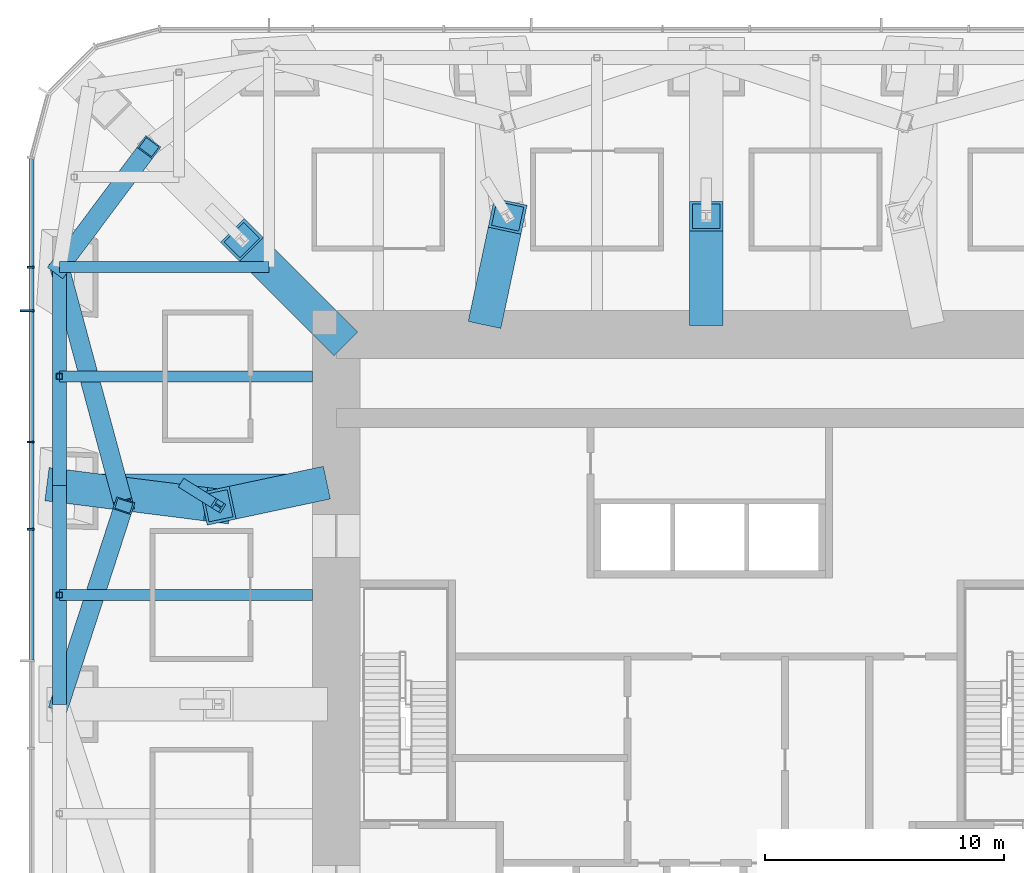
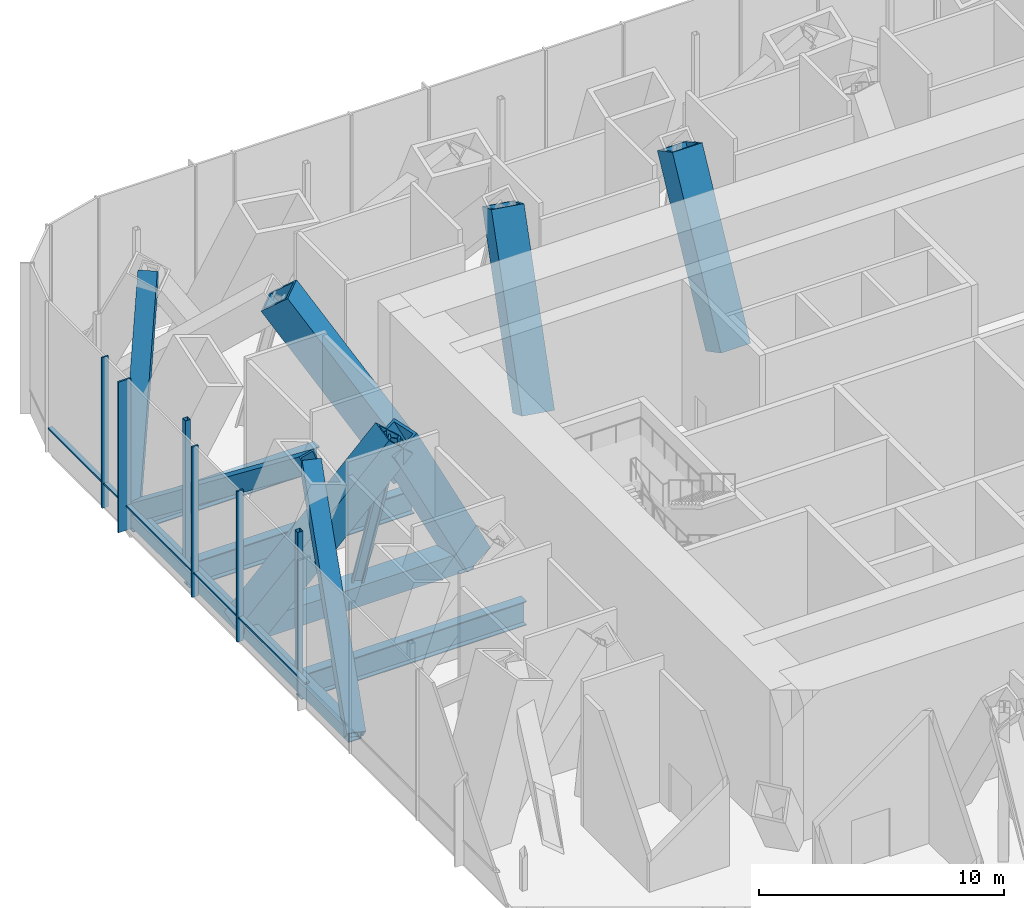
# One storey, part 6 of 16: 23 members, 3 beams, 1 element without a shape of its own.
"""IFC4 building model written with IfcOpenShell, lengths in metres."""

import ifcopenshell
import ifcopenshell.guid

model = None  # the IFC model being written
_history = None  # IfcOwnerHistory: only IFC2X3 demands one
_inside = {}  # id of a spatial element -> (the spatial element, [elements in it])
_under = {}  # id of a project, library or spatial element -> (it, [spatial elements below it])
_declared = {}  # id of a project -> (the project, [libraries it declares])
_typed = {}  # id of a type object -> (the type object, [elements of that type])
_made_of = {}  # id of a material, layer set ... -> (it, [elements and type objects made of it])


def new_model(schema):
    """Start an empty IFC model of exactly this schema.

    Asked for "IFC4X3", IfcOpenShell would pick the latest addendum, in which some entities
    have other attributes; the version numbers below select the first issue.
    IFC2X3 requires an IfcOwnerHistory on every rooted entity: one is made here for all.
    """
    global model, _history
    if schema == "IFC4X3":
        model = ifcopenshell.file(schema_version=(4, 3, 0, 0))
    else:
        model = ifcopenshell.file(schema=schema)
    _inside.clear()
    _under.clear()
    _declared.clear()
    _typed.clear()
    _made_of.clear()
    _history = None
    if model.schema == "IFC2X3":
        org = make("IfcOrganization", Name="unknown")
        user = make(
            "IfcPersonAndOrganization",
            ThePerson=make("IfcPerson", FamilyName="unknown"),
            TheOrganization=org,
        )
        app = make(
            "IfcApplication",
            ApplicationDeveloper=org,
            Version="unknown",
            ApplicationFullName="unknown",
            ApplicationIdentifier="unknown",
        )
        _history = make(
            "IfcOwnerHistory",
            OwningUser=user,
            OwningApplication=app,
            ChangeAction="ADDED",
            CreationDate=0,
        )
    return model


def make(cls, **values):
    """One entity of the class cls with the attributes given. An attribute that is None is left unset."""
    return model.create_entity(
        cls, **{name: value for name, value in values.items() if value is not None}
    )


def rooted(cls, **values):
    """An entity with a GlobalId (a new one), such as an element, a storey or a relation."""
    return make(cls, GlobalId=ifcopenshell.guid.new(), OwnerHistory=_history, **values)


def si_unit(unit_type, name, prefix=None):
    """IfcSIUnit, for example si_unit("LENGTHUNIT", "METRE", prefix="MILLI")."""
    return make("IfcSIUnit", UnitType=unit_type, Prefix=prefix, Name=name)


def assignment(units):
    """IfcUnitAssignment: the units of a project."""
    return None if units is None else make("IfcUnitAssignment", Units=units)


def point(xyz):
    """IfcCartesianPoint."""
    return None if xyz is None else make("IfcCartesianPoint", Coordinates=xyz)


def direction(xyz):
    """IfcDirection."""
    return None if xyz is None else make("IfcDirection", DirectionRatios=xyz)


def frame(location, z_axis=None, x_axis=None):
    """IfcAxis2Placement3D, a coordinate frame: its origin and axes. An axis left out is left unset."""
    return make(
        "IfcAxis2Placement3D",
        Location=point(location),
        Axis=direction(z_axis),
        RefDirection=direction(x_axis),
    )


def frame_2d(location, x_axis=None):
    """IfcAxis2Placement2D, a coordinate frame in the plane: its origin and x axis."""
    return make(
        "IfcAxis2Placement2D", Location=point(location), RefDirection=direction(x_axis)
    )


def origin():
    """The frame at (0, 0, 0) with its axes left unset."""
    return frame((0.0, 0.0, 0.0))


def origin_2d():
    """The frame at (0, 0) in the plane with its x axis left unset."""
    return frame_2d((0.0, 0.0))


def place(relative_to, where):
    """IfcLocalPlacement: puts the frame where relative to a parent placement (None: the world)."""
    return make(
        "IfcLocalPlacement", PlacementRelTo=relative_to, RelativePlacement=where
    )


def context(
    kind, dimensions, precision=None, world=None, true_north=None, identifier=None
):
    """IfcGeometricRepresentationContext, for example the 3D "Model" context."""
    return make(
        "IfcGeometricRepresentationContext",
        ContextIdentifier=identifier,
        ContextType=kind,
        CoordinateSpaceDimension=dimensions,
        Precision=precision,
        WorldCoordinateSystem=world,
        TrueNorth=true_north,
    )


def subcontext(parent, identifier, kind, view, scale=None):
    """IfcGeometricRepresentationSubContext, for example "Body" below "Model"."""
    return make(
        "IfcGeometricRepresentationSubContext",
        ContextIdentifier=identifier,
        ContextType=kind,
        ParentContext=parent,
        TargetScale=scale,
        TargetView=view,
    )


def project(units=None, contexts=None):
    """IfcProject with its units and contexts."""
    return rooted(
        "IfcProject",
        Name="project",
        RepresentationContexts=contexts,
        UnitsInContext=assignment(units),
    )


def spatial(cls, under=None, at=None, **own):
    """A site, building, storey or space (cls), placed at a placement, below another one or the project."""
    s = rooted(cls, ObjectPlacement=at, **own)
    if under is not None:
        _under.setdefault(under.id(), (under, []))[1].append(s)
    return s


def profile(cls, at=None, kind="AREA", **sizes):
    """A parametric profile (cls). Its sizes go by their IFC names, for example OverallWidth=200.0."""
    return make(cls, ProfileType=kind, Position=at, **sizes)


def rectangle(**sizes):
    """IfcRectangleProfileDef."""
    return profile("IfcRectangleProfileDef", **sizes)


def hollow_rectangle(**sizes):
    """IfcRectangleHollowProfileDef."""
    return profile("IfcRectangleHollowProfileDef", **sizes)


def i_section(**sizes):
    """IfcIShapeProfileDef."""
    return profile("IfcIShapeProfileDef", **sizes)


def extrude(swept, where, along, depth):
    """IfcExtrudedAreaSolid: the profile swept, set in the frame where, extruded along a direction by depth."""
    return make(
        "IfcExtrudedAreaSolid",
        SweptArea=swept,
        Position=where,
        ExtrudedDirection=direction(along),
        Depth=depth,
    )


def shape(context_of_items, identifier, shape_type, items):
    """IfcShapeRepresentation: the items that make up one representation, for example the "Body"."""
    return make(
        "IfcShapeRepresentation",
        ContextOfItems=context_of_items,
        RepresentationIdentifier=identifier,
        RepresentationType=shape_type,
        Items=items,
    )


def material(Name=None, Category=None):
    """IfcMaterial."""
    return make("IfcMaterial", Name=Name, Category=Category)


def material_profile(
    of_material, cross_section, Name=None, Category=None, Priority=None
):
    """IfcMaterialProfile: a cross section and its material."""
    return make(
        "IfcMaterialProfile",
        Name=Name,
        Material=of_material,
        Profile=cross_section,
        Priority=Priority,
        Category=Category,
    )


def profile_set(profiles, Name=None, composite=None):
    """IfcMaterialProfileSet."""
    return make(
        "IfcMaterialProfileSet",
        Name=Name,
        MaterialProfiles=profiles,
        CompositeProfile=composite,
    )


def made_of(thing, what):
    """Note that an element or type object is made of a material, layer set ...; save() writes the relation."""
    if what is not None:
        _made_of.setdefault(what.id(), (what, []))[1].append(thing)
    return thing


def type_object(cls, material=None, **own):
    """A type object (cls), such as IfcWallType, which elements share."""
    return made_of(rooted(cls, **own), material)


def element(
    cls,
    number,
    at=None,
    inside=None,
    cuts=None,
    type_object=None,
    material=None,
    context=None,
    identifier="Body",
    shape_type=None,
    held_by="IfcProductDefinitionShape",
    body=None,
    shapes=None,
    **own,
):
    """One element of the class cls, such as IfcWall. Its Tag is "e" and its number.

    at: its placement. inside: the storey or other place that contains it. cuts: it is an
    opening in that element (IfcRelVoidsElement). A single representation is given by context,
    identifier, shape_type and body (its items); several are given by shapes. held_by: the class
    of the entity that holds the representations. save() writes the other relations.
    """
    e = rooted(cls, Tag="e%d" % number, ObjectPlacement=at, **own)
    if body is not None:
        shapes = [shape(context, identifier, shape_type, body)]
    if shapes is not None:
        e.Representation = make(held_by, Representations=shapes)
    if inside is not None:
        _inside.setdefault(inside.id(), (inside, []))[1].append(e)
    if cuts is not None:
        rooted(
            "IfcRelVoidsElement", RelatingBuildingElement=cuts, RelatedOpeningElement=e
        )
    if type_object is not None:
        _typed.setdefault(type_object.id(), (type_object, []))[1].append(e)
    return made_of(e, material)


def aggregate(whole, parts):
    """IfcRelAggregates: a whole, such as a stair, and the parts it consists of."""
    return rooted("IfcRelAggregates", RelatingObject=whole, RelatedObjects=parts)


def save(model, path):
    """Write the relations noted so far, then the file.

    IfcRelAggregates (storeys below a building ...), IfcRelContainedInSpatialStructure (elements
    in a storey), IfcRelDefinesByType, IfcRelAssociatesMaterial and IfcRelDeclares: one each for
    every whole, place, type object, material and project.
    """
    for whole, parts in _under.values():
        aggregate(whole, parts)
    for where, things in _inside.values():
        rooted(
            "IfcRelContainedInSpatialStructure",
            RelatedElements=things,
            RelatingStructure=where,
        )
    for kind, things in _typed.values():
        rooted("IfcRelDefinesByType", RelatedObjects=things, RelatingType=kind)
    for what, things in _made_of.values():
        rooted("IfcRelAssociatesMaterial", RelatedObjects=things, RelatingMaterial=what)
    for by, libraries in _declared.values():
        rooted("IfcRelDeclares", RelatingContext=by, RelatedDefinitions=libraries)
    model.write(path)


model = new_model("IFC4")

# Units and contexts
model_context = context("Model", 3, precision=1e-05, world=origin(), true_north=direction((0.0, 1.0)))
body_context = subcontext(model_context, "Body", "Model", "MODEL_VIEW")
ifc_project = project(units=[si_unit("LENGTHUNIT", "METRE"), si_unit("AREAUNIT", "SQUARE_METRE"), si_unit("VOLUMEUNIT", "CUBIC_METRE"), si_unit("PLANEANGLEUNIT", "RADIAN"), si_unit("MASSUNIT", "GRAM", prefix="KILO")], contexts=[model_context])

# Site, building, storey
site_placement = place(None, origin())
site = spatial("IfcSite", under=ifc_project, at=site_placement, CompositionType="ELEMENT")
building_placement = place(site_placement, origin())
building = spatial("IfcBuilding", under=site, at=building_placement, Name="Khuree Lantern Residences", CompositionType="ELEMENT")
storey_placement = place(building_placement, frame((0.0, 0.0, 192.0)))
storey = spatial("IfcBuildingStorey", under=building, at=storey_placement, Name="L48", CompositionType="ELEMENT", Elevation=192.0)

# Beams
ifc_material_1 = material(Name="Steel S355", Category="steel")
ifc_material_profile_1 = material_profile(ifc_material_1, i_section(OverallWidth=0.449951171875, OverallDepth=1.199951171875, WebThickness=0.02490234375, FlangeThickness=0.044921875, at=origin_2d()), Name="WELDED I 1200X450X25X45")
ifc_profile_set_1 = profile_set([ifc_material_profile_1], Name="Steel S355")
beam_type_1 = type_object("IfcBeamType", Name="B-48 SECONDARY BEAM WELDED I 1200X450X25X45", PredefinedType="BEAM", material=ifc_profile_set_1)
for number, where, z_axis, x_axis, name in (
    (1, (-27.10009765625, 4.580078125, -0.949951171875), (1.0, 0.0, 0.0), (0.0, 1.0, 0.0), "Secondary beam W4"),
    (2, (-27.10009765625, 13.739990234375, -0.949951171875), (1.0, 0.0, 0.0), (0.0, 1.0, 0.0), "Secondary beam W5"),
):
    element("IfcBeam", number, at=place(storey_placement, frame(where, z_axis=z_axis, x_axis=x_axis)), inside=storey, type_object=beam_type_1, Name=name, PredefinedType="BEAM", context=body_context, shape_type="SweptSolid", body=[
        extrude(i_section(OverallWidth=0.449951171875, OverallDepth=1.199951171875, WebThickness=0.02490234375, FlangeThickness=0.044921875, at=origin_2d()), origin(), (0.0, 0.0, 1.0), 10.60009765625),
    ])

# Members
ifc_material_profile_2 = material_profile(ifc_material_1, hollow_rectangle(XDim=0.800048828125, YDim=0.800048828125, WallThickness=0.070068359375, at=origin_2d()), Name="WELDED BOX 800X800X70")
ifc_profile_set_2 = profile_set([ifc_material_profile_2], Name="Steel S355")
member_type_1 = type_object("IfcMemberType", Name="BD-48 BELT TRUSS DIAGONAL WELDED BOX 800X800X70", PredefinedType="BRACE", material=ifc_profile_set_2)
member_1_placement = place(storey_placement, frame((-27.10009765625, 0.0, -0.64990234375), z_axis=(0.233024646962, 0.718015094379, 0.655861142432), x_axis=(-0.951162589374, 0.308690344156, 0.0)))
element("IfcMember", 3, at=member_1_placement, inside=storey, type_object=member_type_1, Name="Belt truss diagonal W4", PredefinedType="BRACE", context=body_context, shape_type="SweptSolid", body=[
    extrude(hollow_rectangle(XDim=0.800048828125, YDim=0.800048828125, WallThickness=0.070068359375, at=origin_2d()), origin(), (0.0, 0.0, 1.0), 11.587646484375),
])
member_2_placement = place(storey_placement, frame((-24.39990234375, 8.320068359375, 6.949951171875), z_axis=(-0.210178823341, 0.778383779751, -0.591560270505), x_axis=(-0.965424337217, -0.260683426993, 0.0)))
element("IfcMember", 4, at=member_2_placement, inside=storey, type_object=member_type_1, Name="Belt truss diagonal W5", PredefinedType="BRACE", context=body_context, shape_type="SweptSolid", body=[
    extrude(hollow_rectangle(XDim=0.800048828125, YDim=0.800048828125, WallThickness=0.070068359375, at=origin_2d()), origin(), (0.0, 0.0, 1.0), 12.84716796875),
])
member_3_placement = place(storey_placement, frame((-27.10009765625, 18.320068359375, -0.64990234375), z_axis=(0.380984544473, 0.509986139158, 0.771210032832), x_axis=(-0.801133426938, 0.598485782825, 0.0)))
element("IfcMember", 5, at=member_3_placement, inside=storey, type_object=member_type_1, Name="Belt truss diagonal W6", PredefinedType="BRACE", context=body_context, shape_type="SweptSolid", body=[
    extrude(hollow_rectangle(XDim=0.800048828125, YDim=0.800048828125, WallThickness=0.070068359375, at=origin_2d()), origin(), (0.0, 0.0, 1.0), 9.8544921875),
])
ifc_material_profile_3 = material_profile(ifc_material_1, hollow_rectangle(XDim=0.60009765625, YDim=0.60009765625, WallThickness=0.050048828125, at=origin_2d()), Name="WELDED BOX 600X600X50")
ifc_profile_set_3 = profile_set([ifc_material_profile_3], Name="Steel S355")
member_type_2 = type_object("IfcMemberType", Name="BT-48 BELT TRUSS CHORD WELDED BOX 600X600X50", PredefinedType="CHORD", material=ifc_profile_set_3)
member_4_placement = place(storey_placement, frame((-27.10009765625, 0.0, -0.64990234375), z_axis=(0.0, 1.0, 0.0), x_axis=(-1.0, 0.0, 0.0)))
element("IfcMember", 6, at=member_4_placement, inside=storey, type_object=member_type_2, Name="Belt truss chord W4", PredefinedType="CHORD", context=body_context, shape_type="SweptSolid", body=[
    extrude(hollow_rectangle(XDim=0.60009765625, YDim=0.60009765625, WallThickness=0.050048828125, at=origin_2d()), origin(), (0.0, 0.0, 1.0), 9.159912109375),
])
member_5_placement = place(storey_placement, frame((-27.10009765625, 9.159912109375, -0.64990234375), z_axis=(0.0, 1.0, 0.0), x_axis=(-1.0, 0.0, 0.0)))
element("IfcMember", 7, at=member_5_placement, inside=storey, type_object=member_type_2, Name="Belt truss chord W5", PredefinedType="CHORD", context=body_context, shape_type="SweptSolid", body=[
    extrude(hollow_rectangle(XDim=0.60009765625, YDim=0.60009765625, WallThickness=0.050048828125, at=origin_2d()), origin(), (0.0, 0.0, 1.0), 9.16015625),
])

# Curtain wall, member
ifc_material_2 = material(Name="Bronze anodised aluminium", Category="aluminium")
curtain_wall_type = type_object("IfcCurtainWallType", Name="CW-G PLANT STOREY LOUVRED CURTAIN WALL", PredefinedType="USERDEFINED", material=ifc_material_2)
curtain_wall_placement = place(storey_placement, origin())
curtain_wall = element("IfcCurtainWall", 8, at=curtain_wall_placement, inside=storey, type_object=curtain_wall_type, Name="L48 WEST FACE CURTAIN WALL", ObjectType="Louvred curtain wall", PredefinedType="USERDEFINED")
ifc_material_profile_4 = material_profile(ifc_material_2, rectangle(XDim=0.080078125, YDim=0.60009765625, at=origin_2d()), Name="F2 80X600")
ifc_profile_set_4 = profile_set([ifc_material_profile_4], Name="Bronze anodised aluminium")
member_type_3 = type_object("IfcMemberType", Name="F2 BRONZE FIN MULLION PLANT 80X600", PredefinedType="MULLION", material=ifc_profile_set_4)
member_6_placement = place(storey_placement, frame((-28.449951171875, 16.488037109375, 0.0), z_axis=(0.0, 0.0, 1.0), x_axis=(0.0, -1.0, 0.0)))
member_6 = element("IfcMember", 9, at=member_6_placement, type_object=member_type_3, Name="L48 WEST FACE FIN MULLION 34", PredefinedType="MULLION", context=body_context, shape_type="SweptSolid", body=[
    extrude(rectangle(XDim=0.080078125, YDim=0.60009765625, at=origin_2d()), origin(), (0.0, 0.0, 1.0), 7.5),
])

# Beam
ifc_material_profile_5 = material_profile(ifc_material_1, i_section(OverallWidth=0.449951171875, OverallDepth=1.199951171875, WebThickness=0.02490234375, FlangeThickness=0.044921875, at=origin_2d()), Name="WELDED I 1200X450X25X45")
ifc_profile_set_5 = profile_set([ifc_material_profile_5], Name="Steel S355")
beam_type_2 = type_object("IfcBeamType", Name="G-48 GIRDER WELDED I 1200X450X25X45", PredefinedType="BEAM", material=ifc_profile_set_5)
beam_placement = place(storey_placement, frame((-27.10009765625, 18.320068359375, -0.949951171875), z_axis=(1.0, 0.0, 0.0), x_axis=(0.0, 1.0, 0.0)))
element("IfcBeam", 10, at=beam_placement, inside=storey, type_object=beam_type_2, Name="Girder W5", PredefinedType="BEAM", context=body_context, shape_type="SweptSolid", body=[
    extrude(i_section(OverallWidth=0.449951171875, OverallDepth=1.199951171875, WebThickness=0.02490234375, FlangeThickness=0.044921875, at=origin_2d()), origin(), (0.0, 0.0, 1.0), 8.780029296875),
])

# Member
ifc_material_profile_6 = material_profile(ifc_material_2, rectangle(XDim=0.080078125, YDim=0.300048828125, at=origin_2d()), Name="M2 80X300")
ifc_profile_set_6 = profile_set([ifc_material_profile_6], Name="Bronze anodised aluminium")
member_type_4 = type_object("IfcMemberType", Name="MULLION M2 PLANT 80X300", PredefinedType="MULLION", material=ifc_profile_set_6)
member_7_placement = place(storey_placement, frame((-28.300048828125, 18.320068359375, 0.0), z_axis=(0.0, 0.0, 1.0), x_axis=(0.0, -1.0, 0.0)))
member_7 = element("IfcMember", 11, at=member_7_placement, type_object=member_type_4, Name="L48 WEST FACE MULLION 33", PredefinedType="MULLION", context=body_context, shape_type="SweptSolid", body=[
    extrude(rectangle(XDim=0.080078125, YDim=0.300048828125, at=origin_2d()), origin(), (0.0, 0.0, 1.0), 7.5),
])

member_8_placement = place(storey_placement, frame((-28.300048828125, 10.991943359375, 0.0), z_axis=(0.0, 0.0, 1.0), x_axis=(0.0, -1.0, 0.0)))
member_8 = element("IfcMember", 12, at=member_8_placement, type_object=member_type_4, Name="L48 WEST FACE MULLION 35", PredefinedType="MULLION", context=body_context, shape_type="SweptSolid", body=[
    extrude(rectangle(XDim=0.080078125, YDim=0.300048828125, at=origin_2d()), origin(), (0.0, 0.0, 1.0), 7.5),
])

member_9_placement = place(storey_placement, frame((-28.300048828125, 7.327880859375, 0.0), z_axis=(0.0, 0.0, 1.0), x_axis=(0.0, -1.0, 0.0)))
member_9 = element("IfcMember", 13, at=member_9_placement, type_object=member_type_4, Name="L48 WEST FACE MULLION 36", PredefinedType="MULLION", context=body_context, shape_type="SweptSolid", body=[
    extrude(rectangle(XDim=0.080078125, YDim=0.300048828125, at=origin_2d()), origin(), (0.0, 0.0, 1.0), 7.5),
])

# Members
ifc_material_profile_7 = material_profile(ifc_material_1, hollow_rectangle(XDim=1.39990234375, YDim=1.39990234375, WallThickness=0.1201171875, at=origin_2d()), Name="WELDED BOX 1400X1400X120")
ifc_profile_set_7 = profile_set([ifc_material_profile_7], Name="Steel S355")
member_type_5 = type_object("IfcMemberType", Name="OD-48 OUTRIGGER TRUSS DIAGONAL WELDED BOX 1400X1400X120", PredefinedType="BRACE", material=ifc_profile_set_7)
member_10_placement = place(storey_placement, frame((-15.5, 15.5, -0.85009765625), z_axis=(-0.419194449983, 0.419194449983, 0.805327278941), x_axis=(-0.707106781187, -0.707106781187, 0.0)))
element("IfcMember", 14, at=member_10_placement, inside=storey, type_object=member_type_5, Name="Outrigger diagonal NW core side", PredefinedType="BRACE", context=body_context, shape_type="SweptSolid", body=[
    extrude(hollow_rectangle(XDim=1.39990234375, YDim=1.39990234375, WallThickness=0.1201171875, at=origin_2d()), origin(), (0.0, 0.0, 1.0), 9.437255859375),
])
member_11_placement = place(storey_placement, frame((-9.159912109375, 16.5, -0.85009765625), z_axis=(0.097584410085, 0.45895877057, 0.883082176145), x_axis=(-0.97813472116, 0.20797227522, 0.0)))
element("IfcMember", 15, at=member_11_placement, inside=storey, type_object=member_type_5, Name="Outrigger diagonal N2 core side", PredefinedType="BRACE", context=body_context, shape_type="SweptSolid", body=[
    extrude(hollow_rectangle(XDim=1.39990234375, YDim=1.39990234375, WallThickness=0.1201171875, at=origin_2d()), origin(), (0.0, 0.0, 1.0), 8.6064453125),
])
member_12_placement = place(storey_placement, frame((0.0, 16.5, -0.85009765625), z_axis=(0.0, 0.46115976999, 0.887317117238), x_axis=(-1.0, 0.0, 0.0)))
element("IfcMember", 16, at=member_12_placement, inside=storey, type_object=member_type_5, Name="Outrigger diagonal N3 core side", PredefinedType="BRACE", context=body_context, shape_type="SweptSolid", body=[
    extrude(hollow_rectangle(XDim=1.39990234375, YDim=1.39990234375, WallThickness=0.1201171875, at=origin_2d()), origin(), (0.0, 0.0, 1.0), 8.565185546875),
])
member_13_placement = place(storey_placement, frame((-16.5, 9.159912109375, -0.85009765625), z_axis=(-0.45895877057, -0.097584410085, 0.883082176145), x_axis=(0.20797227522, -0.97813472116, 0.0)))
element("IfcMember", 17, at=member_13_placement, inside=storey, type_object=member_type_5, Name="Outrigger diagonal W4 core side", PredefinedType="BRACE", context=body_context, shape_type="SweptSolid", body=[
    extrude(hollow_rectangle(XDim=1.39990234375, YDim=1.39990234375, WallThickness=0.1201171875, at=origin_2d()), origin(), (0.0, 0.0, 1.0), 8.6064453125),
])
member_14_placement = place(storey_placement, frame((-20.449951171875, 8.320068359375, 6.75), z_axis=(-0.656242644896, 0.082876562959, -0.749984710732), x_axis=(-0.125294301866, -0.992119618756, 0.0)))
element("IfcMember", 18, at=member_14_placement, inside=storey, type_object=member_type_5, Name="Outrigger diagonal W4 column side", PredefinedType="BRACE", context=body_context, shape_type="SweptSolid", body=[
    extrude(hollow_rectangle(XDim=1.39990234375, YDim=1.39990234375, WallThickness=0.1201171875, at=origin_2d()), origin(), (0.0, 0.0, 1.0), 10.1337890625),
])
ifc_material_profile_8 = material_profile(ifc_material_1, i_section(OverallWidth=0.431884765625, OverallDepth=0.498046875, WebThickness=0.0556640625, FlangeThickness=0.0888671875, FilletRadius=0.014892578125, at=origin_2d()), Name="HD 400X744")
ifc_profile_set_8 = profile_set([ifc_material_profile_8], Name="Steel S355")
member_type_6 = type_object("IfcMemberType", Name="OP-48 OUTRIGGER TRUSS POST HD 400X744", PredefinedType="POST", material=ifc_profile_set_8)
member_15_placement = place(storey_placement, frame((-21.800048828125, 9.159912109375, -0.85009765625), z_axis=(0.173877758914, -0.108162656539, 0.978809156417), x_axis=(0.528203490384, 0.849117820297, 0.0)))
element("IfcMember", 19, at=member_15_placement, inside=storey, type_object=member_type_6, Name="Outrigger post W4", PredefinedType="POST", context=body_context, shape_type="SweptSolid", body=[
    extrude(i_section(OverallWidth=0.431884765625, OverallDepth=0.498046875, WebThickness=0.0556640625, FlangeThickness=0.0888671875, FilletRadius=0.014892578125, at=origin_2d()), origin(), (0.0, 0.0, 1.0), 7.7646484375),
])
ifc_material_profile_9 = material_profile(ifc_material_1, hollow_rectangle(XDim=1.0, YDim=1.0, WallThickness=0.080078125, at=origin_2d()), Name="WELDED BOX 1000X1000X80")
ifc_profile_set_9 = profile_set([ifc_material_profile_9], Name="Steel S355")
member_type_7 = type_object("IfcMemberType", Name="OT-48 OUTRIGGER TRUSS CHORD WELDED BOX 1000X1000X80", PredefinedType="CHORD", material=ifc_profile_set_9)
member_16_placement = place(storey_placement, frame((-27.10009765625, 9.159912109375, -0.85009765625), z_axis=(1.0, 0.0, 0.0), x_axis=(0.0, 1.0, 0.0)))
element("IfcMember", 20, at=member_16_placement, inside=storey, type_object=member_type_7, Name="Outrigger chord W4", PredefinedType="CHORD", context=body_context, shape_type="SweptSolid", body=[
    extrude(hollow_rectangle(XDim=1.0, YDim=1.0, WallThickness=0.080078125, at=origin_2d()), origin(), (0.0, 0.0, 1.0), 10.60009765625),
])
ifc_material_profile_10 = material_profile(ifc_material_1, hollow_rectangle(XDim=0.25, YDim=0.25, WallThickness=0.012451171875, InnerFilletRadius=0.012451171875, OuterFilletRadius=0.018798828125, at=origin_2d()), Name="SHS 250X250X12.5")
ifc_profile_set_10 = profile_set([ifc_material_profile_10], Name="Steel S355")
member_type_8 = type_object("IfcMemberType", Name="TP1 TERRACE POST SHS 250X250X12.5", PredefinedType="POST", material=ifc_profile_set_10)
for number, where, z_axis, x_axis, name in (
    (21, (-27.10009765625, 4.580078125, -0.35009765625), (0.0, 0.0, 1.0), (1.0, 0.0, 0.0), "Terrace post W4"),
    (22, (-27.10009765625, 13.739990234375, -0.35009765625), (0.0, 0.0, 1.0), (1.0, 0.0, 0.0), "Terrace post W5"),
):
    element("IfcMember", number, at=place(storey_placement, frame(where, z_axis=z_axis, x_axis=x_axis)), inside=storey, type_object=member_type_8, Name=name, PredefinedType="POST", context=body_context, shape_type="SweptSolid", body=[
        extrude(hollow_rectangle(XDim=0.25, YDim=0.25, WallThickness=0.012451171875, InnerFilletRadius=0.012451171875, OuterFilletRadius=0.018798828125, at=origin_2d()), origin(), (0.0, 0.0, 1.0), 7.10009765625),
    ])

# Member
ifc_material_profile_11 = material_profile(ifc_material_2, rectangle(XDim=0.219970703125, YDim=0.080078125, at=origin_2d()), Name="T2 220X80")
ifc_profile_set_11 = profile_set([ifc_material_profile_11], Name="Bronze anodised aluminium")
member_type_9 = type_object("IfcMemberType", Name="TRANSOM T2 PLANT 220X80", PredefinedType="USERDEFINED", material=ifc_profile_set_11)
member_17_placement = place(storey_placement, frame((-28.27001953125, 22.84130859375, 1.199951171875), z_axis=(0.0, -1.0, 0.0), x_axis=(1.0, 0.0, 0.0)))
member_17 = element("IfcMember", 23, at=member_17_placement, type_object=member_type_9, Name="L48 WEST FACE TRANSOM 32.1", ObjectType="Transom", PredefinedType="USERDEFINED", context=body_context, shape_type="SweptSolid", body=[
    extrude(rectangle(XDim=0.219970703125, YDim=0.080078125, at=origin_2d()), origin(), (0.0, 0.0, 1.0), 4.481201171875),
])

member_18_placement = place(storey_placement, frame((-28.27001953125, 18.280029296875, 1.199951171875), z_axis=(0.0, -1.0, 0.0), x_axis=(1.0, 0.0, 0.0)))
member_18 = element("IfcMember", 24, at=member_18_placement, type_object=member_type_9, Name="L48 WEST FACE TRANSOM 33.1", ObjectType="Transom", PredefinedType="USERDEFINED", context=body_context, shape_type="SweptSolid", body=[
    extrude(rectangle(XDim=0.219970703125, YDim=0.080078125, at=origin_2d()), origin(), (0.0, 0.0, 1.0), 1.751953125),
])

member_19_placement = place(storey_placement, frame((-28.27001953125, 16.447998046875, 1.199951171875), z_axis=(0.0, -1.0, 0.0), x_axis=(1.0, 0.0, 0.0)))
member_19 = element("IfcMember", 25, at=member_19_placement, type_object=member_type_9, Name="L48 WEST FACE TRANSOM 34.1", ObjectType="Transom", PredefinedType="USERDEFINED", context=body_context, shape_type="SweptSolid", body=[
    extrude(rectangle(XDim=0.219970703125, YDim=0.080078125, at=origin_2d()), origin(), (0.0, 0.0, 1.0), 5.416015625),
])

member_20_placement = place(storey_placement, frame((-28.27001953125, 10.951904296875, 1.199951171875), z_axis=(0.0, -1.0, 0.0), x_axis=(1.0, 0.0, 0.0)))
member_20 = element("IfcMember", 26, at=member_20_placement, type_object=member_type_9, Name="L48 WEST FACE TRANSOM 35.1", ObjectType="Transom", PredefinedType="USERDEFINED", context=body_context, shape_type="SweptSolid", body=[
    extrude(rectangle(XDim=0.219970703125, YDim=0.080078125, at=origin_2d()), origin(), (0.0, 0.0, 1.0), 3.583984375),
])

member_21_placement = place(storey_placement, frame((-28.27001953125, 7.2880859375, 1.199951171875), z_axis=(0.0, -1.0, 0.0), x_axis=(1.0, 0.0, 0.0)))
member_21 = element("IfcMember", 27, at=member_21_placement, type_object=member_type_9, Name="L48 WEST FACE TRANSOM 36.1", ObjectType="Transom", PredefinedType="USERDEFINED", context=body_context, shape_type="SweptSolid", body=[
    extrude(rectangle(XDim=0.219970703125, YDim=0.080078125, at=origin_2d()), origin(), (0.0, 0.0, 1.0), 5.416015625),
])

aggregate(curtain_wall, [member_7, member_6, member_8, member_9, member_17, member_18, member_19, member_20, member_21])

save(model, "model.ifc")
